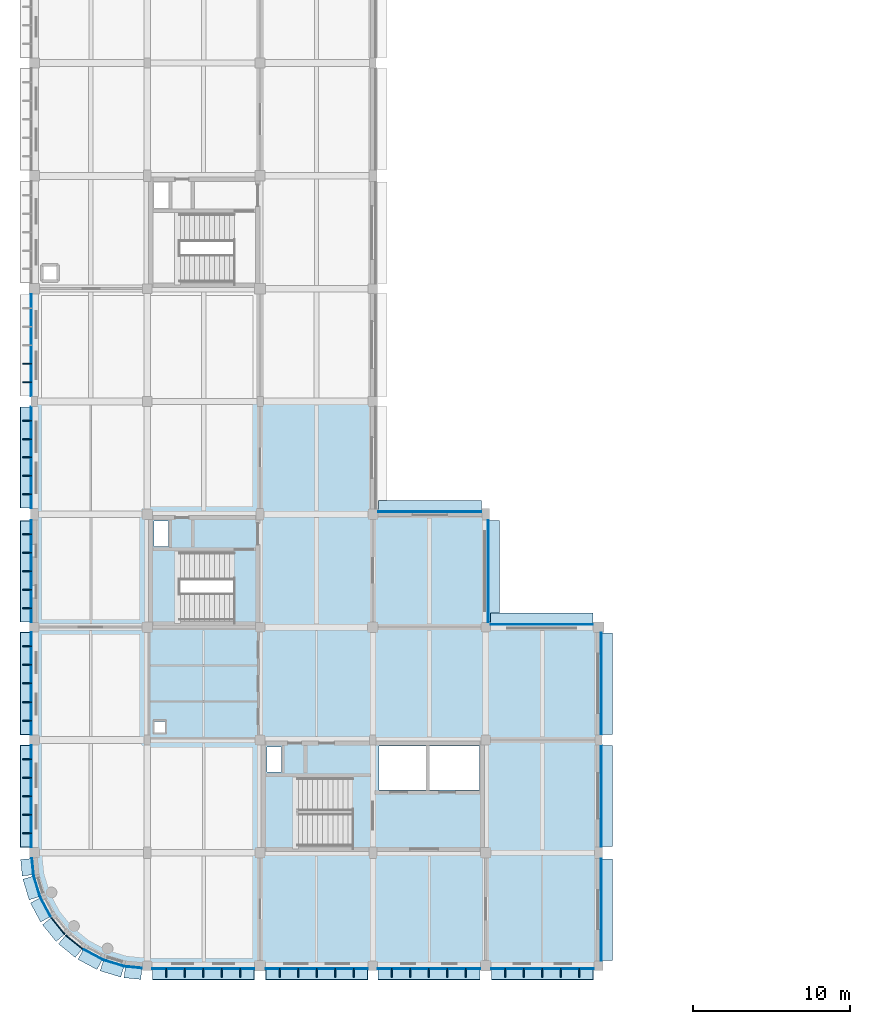
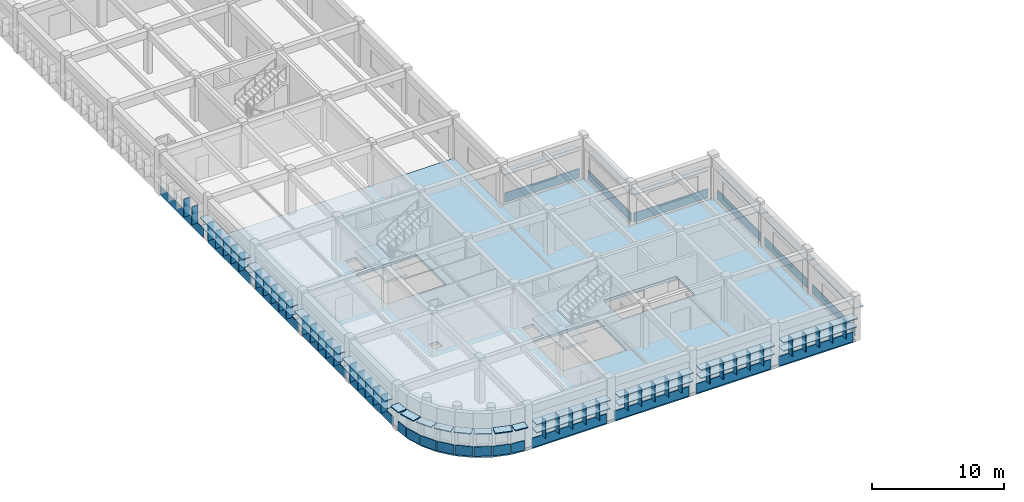
# One storey, part 10 of 38: 95 plates, 3 slabs, 2 elements without a shape of their own.
"""IFC4 building model written with IfcOpenShell, lengths in metres."""

from ifc_helpers import new_model, si_unit, direction, frame, origin, origin_2d, place, context, subcontext, project, spatial, polyline, rectangle, outline, extrude, material, layer, layer_set, type_object, element, aggregate, save


model = new_model("IFC4")

# Units and contexts
model_context = context("Model", 3, precision=1e-05, world=origin(), true_north=direction((0.0, 1.0)))
body_context = subcontext(model_context, "Body", "Model", "MODEL_VIEW")
ifc_project = project(units=[si_unit("LENGTHUNIT", "METRE"), si_unit("AREAUNIT", "SQUARE_METRE"), si_unit("VOLUMEUNIT", "CUBIC_METRE"), si_unit("PLANEANGLEUNIT", "RADIAN"), si_unit("MASSUNIT", "GRAM", prefix="KILO")], contexts=[model_context])

# Site, building, storey
site_placement = place(None, origin())
site = spatial("IfcSite", under=ifc_project, at=site_placement, CompositionType="ELEMENT")
building_placement = place(site_placement, origin())
building = spatial("IfcBuilding", under=site, at=building_placement, Name="Thalmaran Polytechnic", CompositionType="ELEMENT")
storey_placement = place(building_placement, frame((0.0, 0.0, 18.60009765625)))
storey = spatial("IfcBuildingStorey", under=building, at=storey_placement, Name="L04", CompositionType="ELEMENT", Elevation=18.60009765625)

# Plates
ifc_material_1 = material(Name="Anodised aluminium spandrel band", Category="aluminium")
ifc_layer_1 = layer(ifc_material_1, 0.054931640625, Name="Anodised aluminium spandrel band")
ifc_layer_set_1 = layer_set([ifc_layer_1], Name="Anodised aluminium spandrel band")
plate_type_1 = type_object("IfcPlateType", Name="PT-BD01", PredefinedType="SHEET", material=ifc_layer_set_1)
plate_1_placement = place(storey_placement, frame((-0.10888671875, 6.31689453125, 0.02001953125), z_axis=(0.0, 0.0, 1.0), x_axis=(-0.09801714033, 0.995184726672, 0.0)))
element("IfcPlate", 1, at=plate_1_placement, inside=storey, type_object=plate_type_1, Name="Streamline Horizontal Spandrel Band L04-025", PredefinedType="SHEET", context=body_context, shape_type="SweptSolid", body=[
    extrude(rectangle(XDim=1.04638671875, YDim=0.054931640625, at=origin_2d()), origin(), (0.0, 0.0, 1.0), 0.8798828125),
])
plate_2_placement = place(storey_placement, frame((-0.195068359375, 10.8076171875, 0.02001953125), z_axis=(0.0, 0.0, 1.0), x_axis=(0.0, 1.0, 0.0)))
element("IfcPlate", 2, at=plate_2_placement, inside=storey, type_object=plate_type_1, Name="Streamline Horizontal Spandrel Band L04-026", PredefinedType="SHEET", context=body_context, shape_type="SweptSolid", body=[
    extrude(rectangle(XDim=6.52490234375, YDim=0.054931640625, at=origin_2d()), origin(), (0.0, 0.0, 1.0), 0.8798828125),
])
plate_3_placement = place(storey_placement, frame((-0.195068359375, 18.0048828125, 0.02001953125), z_axis=(0.0, 0.0, 1.0), x_axis=(0.0, 1.0, 0.0)))
element("IfcPlate", 3, at=plate_3_placement, inside=storey, type_object=plate_type_1, Name="Streamline Horizontal Spandrel Band L04-027", PredefinedType="SHEET", context=body_context, shape_type="SweptSolid", body=[
    extrude(rectangle(XDim=6.550048828125, YDim=0.054931640625, at=origin_2d()), origin(), (0.0, 0.0, 1.0), 0.8798828125),
])
plate_4_placement = place(storey_placement, frame((-0.195068359375, 25.16259765625, 0.02001953125), z_axis=(0.0, 0.0, 1.0), x_axis=(0.0, 1.0, 0.0)))
element("IfcPlate", 4, at=plate_4_placement, inside=storey, type_object=plate_type_1, Name="Streamline Horizontal Spandrel Band L04-028", PredefinedType="SHEET", context=body_context, shape_type="SweptSolid", body=[
    extrude(rectangle(XDim=6.485107421875, YDim=0.054931640625, at=origin_2d()), origin(), (0.0, 0.0, 1.0), 0.8798828125),
])
plate_5_placement = place(storey_placement, frame((-0.195068359375, 32.427490234375, 0.02001953125), z_axis=(0.0, 0.0, 1.0), x_axis=(0.0, 1.0, 0.0)))
element("IfcPlate", 5, at=plate_5_placement, inside=storey, type_object=plate_type_1, Name="Streamline Horizontal Spandrel Band L04-029", PredefinedType="SHEET", context=body_context, shape_type="SweptSolid", body=[
    extrude(rectangle(XDim=6.465087890625, YDim=0.054931640625, at=origin_2d()), origin(), (0.0, 0.0, 1.0), 0.8798828125),
])
plate_6_placement = place(storey_placement, frame((-0.195068359375, 39.590087890625, 0.02001953125), z_axis=(0.0, 0.0, 1.0), x_axis=(0.0, 1.0, 0.0)))
element("IfcPlate", 6, at=plate_6_placement, inside=storey, type_object=plate_type_1, Name="Streamline Horizontal Spandrel Band L04-030", PredefinedType="SHEET", context=body_context, shape_type="SweptSolid", body=[
    extrude(rectangle(XDim=6.5, YDim=0.054931640625, at=origin_2d()), origin(), (0.0, 0.0, 1.0), 0.8798828125),
])
plate_7_placement = place(storey_placement, frame((25.237548828125, 28.969970703125, 0.02001953125), z_axis=(0.0, 0.0, 1.0), x_axis=(1.0, 0.0, 0.0)))
element("IfcPlate", 7, at=plate_7_placement, inside=storey, type_object=plate_type_1, Name="Streamline Horizontal Spandrel Band L04-088", PredefinedType="SHEET", context=body_context, shape_type="SweptSolid", body=[
    extrude(rectangle(XDim=6.5849609375, YDim=0.054931640625, at=origin_2d()), origin(), (0.0, 0.0, 1.0), 0.8798828125),
])
plate_8_placement = place(storey_placement, frame((28.969970703125, 25.16259765625, 0.02001953125), z_axis=(0.0, 0.0, 1.0), x_axis=(0.0, -1.0, 0.0)))
element("IfcPlate", 8, at=plate_8_placement, inside=storey, type_object=plate_type_1, Name="Streamline Horizontal Spandrel Band L04-089", PredefinedType="SHEET", context=body_context, shape_type="SweptSolid", body=[
    extrude(rectangle(XDim=6.485107421875, YDim=0.054931640625, at=origin_2d()), origin(), (0.0, 0.0, 1.0), 0.8798828125),
])
plate_9_placement = place(storey_placement, frame((32.3798828125, 21.77001953125, 0.02001953125), z_axis=(0.0, 0.0, 1.0), x_axis=(1.0, 0.0, 0.0)))
element("IfcPlate", 9, at=plate_9_placement, inside=storey, type_object=plate_type_1, Name="Streamline Horizontal Spandrel Band L04-090", PredefinedType="SHEET", context=body_context, shape_type="SweptSolid", body=[
    extrude(rectangle(XDim=6.52001953125, YDim=0.054931640625, at=origin_2d()), origin(), (0.0, 0.0, 1.0), 0.8798828125),
])
plate_10_placement = place(storey_placement, frame((36.169921875, 17.989990234375, 0.02001953125), z_axis=(0.0, 0.0, 1.0), x_axis=(0.0, -1.0, 0.0)))
element("IfcPlate", 10, at=plate_10_placement, inside=storey, type_object=plate_type_1, Name="Streamline Horizontal Spandrel Band L04-091", PredefinedType="SHEET", context=body_context, shape_type="SweptSolid", body=[
    extrude(rectangle(XDim=6.5, YDim=0.054931640625, at=origin_2d()), origin(), (0.0, 0.0, 1.0), 0.8798828125),
])
plate_11_placement = place(storey_placement, frame((36.169921875, 10.827392578125, 0.02001953125), z_axis=(0.0, 0.0, 1.0), x_axis=(0.0, -1.0, 0.0)))
element("IfcPlate", 11, at=plate_11_placement, inside=storey, type_object=plate_type_1, Name="Streamline Horizontal Spandrel Band L04-092", PredefinedType="SHEET", context=body_context, shape_type="SweptSolid", body=[
    extrude(rectangle(XDim=6.465087890625, YDim=0.054931640625, at=origin_2d()), origin(), (0.0, 0.0, 1.0), 0.8798828125),
])
plate_12_placement = place(storey_placement, frame((36.169921875, 3.5625, 0.02001953125), z_axis=(0.0, 0.0, 1.0), x_axis=(0.0, -1.0, 0.0)))
element("IfcPlate", 12, at=plate_12_placement, inside=storey, type_object=plate_type_1, Name="Streamline Horizontal Spandrel Band L04-093", PredefinedType="SHEET", context=body_context, shape_type="SweptSolid", body=[
    extrude(rectangle(XDim=6.485107421875, YDim=0.054931640625, at=origin_2d()), origin(), (0.0, 0.0, 1.0), 0.8798828125),
])
for number, where, z_axis, x_axis, name in (
    (13, (32.419921875, -0.195068359375, 0.02001953125), (0.0, 0.0, 1.0), (-1.0, 0.0, 0.0), "Streamline Horizontal Spandrel Band L04-094"),
    (14, (25.179931640625, -0.195068359375, 0.02001953125), (0.0, 0.0, 1.0), (-1.0, 0.0, 0.0), "Streamline Horizontal Spandrel Band L04-095"),
    (15, (18.02001953125, -0.195068359375, 0.02001953125), (0.0, 0.0, 1.0), (-1.0, 0.0, 0.0), "Streamline Horizontal Spandrel Band L04-096"),
    (16, (10.780029296875, -0.195068359375, 0.02001953125), (0.0, 0.0, 1.0), (-1.0, 0.0, 0.0), "Streamline Horizontal Spandrel Band L04-097"),
):
    element("IfcPlate", number, at=place(storey_placement, frame(where, z_axis=z_axis, x_axis=x_axis)), inside=storey, type_object=plate_type_1, Name=name, PredefinedType="SHEET", context=body_context, shape_type="SweptSolid", body=[
        extrude(rectangle(XDim=6.52001953125, YDim=0.054931640625, at=origin_2d()), origin(), (0.0, 0.0, 1.0), 0.8798828125),
    ])
plate_13_placement = place(storey_placement, frame((6.329345703125, -0.110107421875, 0.02001953125), z_axis=(0.0, 0.0, 1.0), x_axis=(-0.995184726672, 0.09801714033, 0.0)))
element("IfcPlate", 17, at=plate_13_placement, inside=storey, type_object=plate_type_1, Name="Streamline Horizontal Spandrel Band L04-098", PredefinedType="SHEET", context=body_context, shape_type="SweptSolid", body=[
    extrude(rectangle(XDim=1.0712890625, YDim=0.054931640625, at=origin_2d()), origin(), (0.0, 0.0, 1.0), 0.8798828125),
])
for number, where, z_axis, x_axis, name in (
    (18, (5.0634765625, 0.156494140625, 0.02001953125), (0.0, 0.0, 1.0), (-0.956940335732, 0.290284677254, 0.0), "Streamline Horizontal Spandrel Band L04-099"),
    (19, (3.73046875, 0.708740234375, 0.02001953125), (0.0, 0.0, 1.0), (-0.881921264348, 0.471396736826, 0.0), "Streamline Horizontal Spandrel Band L04-100"),
    (20, (2.53076171875, 1.510498046875, 0.02001953125), (0.0, 0.0, 1.0), (-0.773010453363, 0.634393284164, 0.0), "Streamline Horizontal Spandrel Band L04-101"),
    (21, (1.510498046875, 2.53076171875, 0.02001953125), (0.0, 0.0, 1.0), (-0.634393284164, 0.773010453363, 0.0), "Streamline Horizontal Spandrel Band L04-102"),
    (22, (0.708740234375, 3.73046875, 0.02001953125), (0.0, 0.0, 1.0), (-0.471396736826, 0.881921264348, 0.0), "Streamline Horizontal Spandrel Band L04-103"),
    (23, (0.156494140625, 5.0634765625, 0.02001953125), (0.0, 0.0, 1.0), (-0.290284677254, 0.956940335732, 0.0), "Streamline Horizontal Spandrel Band L04-104"),
):
    element("IfcPlate", number, at=place(storey_placement, frame(where, z_axis=z_axis, x_axis=x_axis)), inside=storey, type_object=plate_type_1, Name=name, PredefinedType="SHEET", context=body_context, shape_type="SweptSolid", body=[
        extrude(rectangle(XDim=1.371337890625, YDim=0.054931640625, at=origin_2d()), origin(), (0.0, 0.0, 1.0), 0.8798828125),
    ])
ifc_material_2 = material(Name="Anodised aluminium sun-hood eyebrow", Category="aluminium")
ifc_layer_2 = layer(ifc_material_2, 0.0849609375, Name="Anodised aluminium sun-hood eyebrow")
ifc_layer_set_2 = layer_set([ifc_layer_2], Name="Anodised aluminium sun-hood eyebrow")
plate_type_2 = type_object("IfcPlateType", Name="PT-EB01", PredefinedType="SHEET", material=ifc_layer_set_2)
plate_14_placement = place(storey_placement, frame((-0.452392578125, 6.282958984375, 2.517333984375), z_axis=(0.0, 0.0, 1.0), x_axis=(-0.09801714033, 0.995184726672, 0.0)))
element("IfcPlate", 24, at=plate_14_placement, inside=storey, type_object=plate_type_2, Name="Streamline Sun-Hood Eyebrow L04-025", PredefinedType="SHEET", context=body_context, shape_type="SweptSolid", body=[
    extrude(rectangle(XDim=1.04638671875, YDim=0.760009765625, at=origin_2d()), origin(), (0.0, 0.0, 1.0), 0.0849609375),
])
plate_15_placement = place(storey_placement, frame((-0.5400390625, 10.8076171875, 2.517333984375), z_axis=(0.0, 0.0, 1.0), x_axis=(0.0, 1.0, 0.0)))
element("IfcPlate", 25, at=plate_15_placement, inside=storey, type_object=plate_type_2, Name="Streamline Sun-Hood Eyebrow L04-026", PredefinedType="SHEET", context=body_context, shape_type="SweptSolid", body=[
    extrude(rectangle(XDim=6.52490234375, YDim=0.760009765625, at=origin_2d()), origin(), (0.0, 0.0, 1.0), 0.0849609375),
])
plate_16_placement = place(storey_placement, frame((-0.52001953125, 10.8076171875, 1.7421875), z_axis=(0.0, 0.0, 1.0), x_axis=(0.0, 1.0, 0.0)))
element("IfcPlate", 26, at=plate_16_placement, inside=storey, type_object=plate_type_2, Name="Abu Dhabi Horizontal Solar Louvre L04-026", PredefinedType="SHEET", context=body_context, shape_type="SweptSolid", body=[
    extrude(rectangle(XDim=6.485107421875, YDim=0.719970703125, at=origin_2d()), origin(), (0.0, 0.0, 1.0), 0.074951171875),
])
plate_17_placement = place(storey_placement, frame((-0.5400390625, 18.0048828125, 2.517333984375), z_axis=(0.0, 0.0, 1.0), x_axis=(0.0, 1.0, 0.0)))
element("IfcPlate", 27, at=plate_17_placement, inside=storey, type_object=plate_type_2, Name="Streamline Sun-Hood Eyebrow L04-027", PredefinedType="SHEET", context=body_context, shape_type="SweptSolid", body=[
    extrude(rectangle(XDim=6.550048828125, YDim=0.760009765625, at=origin_2d()), origin(), (0.0, 0.0, 1.0), 0.0849609375),
])
plate_18_placement = place(storey_placement, frame((-0.52001953125, 18.0048828125, 1.7421875), z_axis=(0.0, 0.0, 1.0), x_axis=(0.0, 1.0, 0.0)))
element("IfcPlate", 28, at=plate_18_placement, inside=storey, type_object=plate_type_2, Name="Abu Dhabi Horizontal Solar Louvre L04-027", PredefinedType="SHEET", context=body_context, shape_type="SweptSolid", body=[
    extrude(rectangle(XDim=6.510009765625, YDim=0.719970703125, at=origin_2d()), origin(), (0.0, 0.0, 1.0), 0.074951171875),
])
plate_19_placement = place(storey_placement, frame((-0.5400390625, 25.16259765625, 2.517333984375), z_axis=(0.0, 0.0, 1.0), x_axis=(0.0, 1.0, 0.0)))
element("IfcPlate", 29, at=plate_19_placement, inside=storey, type_object=plate_type_2, Name="Streamline Sun-Hood Eyebrow L04-028", PredefinedType="SHEET", context=body_context, shape_type="SweptSolid", body=[
    extrude(rectangle(XDim=6.485107421875, YDim=0.760009765625, at=origin_2d()), origin(), (0.0, 0.0, 1.0), 0.0849609375),
])
plate_20_placement = place(storey_placement, frame((-0.52001953125, 25.16259765625, 1.7421875), z_axis=(0.0, 0.0, 1.0), x_axis=(0.0, 1.0, 0.0)))
element("IfcPlate", 30, at=plate_20_placement, inside=storey, type_object=plate_type_2, Name="Abu Dhabi Horizontal Solar Louvre L04-028", PredefinedType="SHEET", context=body_context, shape_type="SweptSolid", body=[
    extrude(rectangle(XDim=6.445068359375, YDim=0.719970703125, at=origin_2d()), origin(), (0.0, 0.0, 1.0), 0.074951171875),
])
plate_21_placement = place(storey_placement, frame((-0.5400390625, 32.427490234375, 2.517333984375), z_axis=(0.0, 0.0, 1.0), x_axis=(0.0, 1.0, 0.0)))
element("IfcPlate", 31, at=plate_21_placement, inside=storey, type_object=plate_type_2, Name="Streamline Sun-Hood Eyebrow L04-029", PredefinedType="SHEET", context=body_context, shape_type="SweptSolid", body=[
    extrude(rectangle(XDim=6.465087890625, YDim=0.760009765625, at=origin_2d()), origin(), (0.0, 0.0, 1.0), 0.0849609375),
])
plate_22_placement = place(storey_placement, frame((-0.52001953125, 32.427490234375, 1.7421875), z_axis=(0.0, 0.0, 1.0), x_axis=(0.0, 1.0, 0.0)))
element("IfcPlate", 32, at=plate_22_placement, inside=storey, type_object=plate_type_2, Name="Abu Dhabi Horizontal Solar Louvre L04-029", PredefinedType="SHEET", context=body_context, shape_type="SweptSolid", body=[
    extrude(rectangle(XDim=6.425048828125, YDim=0.719970703125, at=origin_2d()), origin(), (0.0, 0.0, 1.0), 0.074951171875),
])
plate_23_placement = place(storey_placement, frame((25.237548828125, 29.31494140625, 2.517333984375), z_axis=(0.0, 0.0, 1.0), x_axis=(1.0, 0.0, 0.0)))
element("IfcPlate", 33, at=plate_23_placement, inside=storey, type_object=plate_type_2, Name="Streamline Sun-Hood Eyebrow L04-088", PredefinedType="SHEET", context=body_context, shape_type="SweptSolid", body=[
    extrude(rectangle(XDim=6.5849609375, YDim=0.760009765625, at=origin_2d()), origin(), (0.0, 0.0, 1.0), 0.0849609375),
])
plate_24_placement = place(storey_placement, frame((29.31494140625, 25.16259765625, 2.517333984375), z_axis=(0.0, 0.0, 1.0), x_axis=(0.0, -1.0, 0.0)))
element("IfcPlate", 34, at=plate_24_placement, inside=storey, type_object=plate_type_2, Name="Streamline Sun-Hood Eyebrow L04-089", PredefinedType="SHEET", context=body_context, shape_type="SweptSolid", body=[
    extrude(rectangle(XDim=6.485107421875, YDim=0.760009765625, at=origin_2d()), origin(), (0.0, 0.0, 1.0), 0.0849609375),
])
plate_25_placement = place(storey_placement, frame((32.3798828125, 22.114990234375, 2.517333984375), z_axis=(0.0, 0.0, 1.0), x_axis=(1.0, 0.0, 0.0)))
element("IfcPlate", 35, at=plate_25_placement, inside=storey, type_object=plate_type_2, Name="Streamline Sun-Hood Eyebrow L04-090", PredefinedType="SHEET", context=body_context, shape_type="SweptSolid", body=[
    extrude(rectangle(XDim=6.52001953125, YDim=0.760009765625, at=origin_2d()), origin(), (0.0, 0.0, 1.0), 0.0849609375),
])
plate_26_placement = place(storey_placement, frame((36.514892578125, 17.989990234375, 2.517333984375), z_axis=(0.0, 0.0, 1.0), x_axis=(0.0, -1.0, 0.0)))
element("IfcPlate", 36, at=plate_26_placement, inside=storey, type_object=plate_type_2, Name="Streamline Sun-Hood Eyebrow L04-091", PredefinedType="SHEET", context=body_context, shape_type="SweptSolid", body=[
    extrude(rectangle(XDim=6.5, YDim=0.760009765625, at=origin_2d()), origin(), (0.0, 0.0, 1.0), 0.0849609375),
])
plate_27_placement = place(storey_placement, frame((36.514892578125, 10.827392578125, 2.517333984375), z_axis=(0.0, 0.0, 1.0), x_axis=(0.0, -1.0, 0.0)))
element("IfcPlate", 37, at=plate_27_placement, inside=storey, type_object=plate_type_2, Name="Streamline Sun-Hood Eyebrow L04-092", PredefinedType="SHEET", context=body_context, shape_type="SweptSolid", body=[
    extrude(rectangle(XDim=6.465087890625, YDim=0.760009765625, at=origin_2d()), origin(), (0.0, 0.0, 1.0), 0.0849609375),
])
plate_28_placement = place(storey_placement, frame((36.514892578125, 3.5625, 2.517333984375), z_axis=(0.0, 0.0, 1.0), x_axis=(0.0, -1.0, 0.0)))
element("IfcPlate", 38, at=plate_28_placement, inside=storey, type_object=plate_type_2, Name="Streamline Sun-Hood Eyebrow L04-093", PredefinedType="SHEET", context=body_context, shape_type="SweptSolid", body=[
    extrude(rectangle(XDim=6.485107421875, YDim=0.760009765625, at=origin_2d()), origin(), (0.0, 0.0, 1.0), 0.0849609375),
])
plate_29_placement = place(storey_placement, frame((32.419921875, -0.5400390625, 2.517333984375), z_axis=(0.0, 0.0, 1.0), x_axis=(-1.0, 0.0, 0.0)))
element("IfcPlate", 39, at=plate_29_placement, inside=storey, type_object=plate_type_2, Name="Streamline Sun-Hood Eyebrow L04-094", PredefinedType="SHEET", context=body_context, shape_type="SweptSolid", body=[
    extrude(rectangle(XDim=6.52001953125, YDim=0.760009765625, at=origin_2d()), origin(), (0.0, 0.0, 1.0), 0.0849609375),
])
plate_30_placement = place(storey_placement, frame((32.419921875, -0.52001953125, 1.7421875), z_axis=(0.0, 0.0, 1.0), x_axis=(-1.0, 0.0, 0.0)))
element("IfcPlate", 40, at=plate_30_placement, inside=storey, type_object=plate_type_2, Name="Abu Dhabi Horizontal Solar Louvre L04-094", PredefinedType="SHEET", context=body_context, shape_type="SweptSolid", body=[
    extrude(rectangle(XDim=6.47998046875, YDim=0.719970703125, at=origin_2d()), origin(), (0.0, 0.0, 1.0), 0.074951171875),
])
plate_31_placement = place(storey_placement, frame((25.179931640625, -0.5400390625, 2.517333984375), z_axis=(0.0, 0.0, 1.0), x_axis=(-1.0, 0.0, 0.0)))
element("IfcPlate", 41, at=plate_31_placement, inside=storey, type_object=plate_type_2, Name="Streamline Sun-Hood Eyebrow L04-095", PredefinedType="SHEET", context=body_context, shape_type="SweptSolid", body=[
    extrude(rectangle(XDim=6.52001953125, YDim=0.760009765625, at=origin_2d()), origin(), (0.0, 0.0, 1.0), 0.0849609375),
])
plate_32_placement = place(storey_placement, frame((25.179931640625, -0.52001953125, 1.7421875), z_axis=(0.0, 0.0, 1.0), x_axis=(-1.0, 0.0, 0.0)))
element("IfcPlate", 42, at=plate_32_placement, inside=storey, type_object=plate_type_2, Name="Abu Dhabi Horizontal Solar Louvre L04-095", PredefinedType="SHEET", context=body_context, shape_type="SweptSolid", body=[
    extrude(rectangle(XDim=6.47998046875, YDim=0.719970703125, at=origin_2d()), origin(), (0.0, 0.0, 1.0), 0.074951171875),
])
plate_33_placement = place(storey_placement, frame((18.02001953125, -0.5400390625, 2.517333984375), z_axis=(0.0, 0.0, 1.0), x_axis=(-1.0, 0.0, 0.0)))
element("IfcPlate", 43, at=plate_33_placement, inside=storey, type_object=plate_type_2, Name="Streamline Sun-Hood Eyebrow L04-096", PredefinedType="SHEET", context=body_context, shape_type="SweptSolid", body=[
    extrude(rectangle(XDim=6.52001953125, YDim=0.760009765625, at=origin_2d()), origin(), (0.0, 0.0, 1.0), 0.0849609375),
])
plate_34_placement = place(storey_placement, frame((18.02001953125, -0.52001953125, 1.7421875), z_axis=(0.0, 0.0, 1.0), x_axis=(-1.0, 0.0, 0.0)))
element("IfcPlate", 44, at=plate_34_placement, inside=storey, type_object=plate_type_2, Name="Abu Dhabi Horizontal Solar Louvre L04-096", PredefinedType="SHEET", context=body_context, shape_type="SweptSolid", body=[
    extrude(rectangle(XDim=6.47998046875, YDim=0.719970703125, at=origin_2d()), origin(), (0.0, 0.0, 1.0), 0.074951171875),
])
plate_35_placement = place(storey_placement, frame((10.780029296875, -0.5400390625, 2.517333984375), z_axis=(0.0, 0.0, 1.0), x_axis=(-1.0, 0.0, 0.0)))
element("IfcPlate", 45, at=plate_35_placement, inside=storey, type_object=plate_type_2, Name="Streamline Sun-Hood Eyebrow L04-097", PredefinedType="SHEET", context=body_context, shape_type="SweptSolid", body=[
    extrude(rectangle(XDim=6.52001953125, YDim=0.760009765625, at=origin_2d()), origin(), (0.0, 0.0, 1.0), 0.0849609375),
])
plate_36_placement = place(storey_placement, frame((10.780029296875, -0.52001953125, 1.7421875), z_axis=(0.0, 0.0, 1.0), x_axis=(-1.0, 0.0, 0.0)))
element("IfcPlate", 46, at=plate_36_placement, inside=storey, type_object=plate_type_2, Name="Abu Dhabi Horizontal Solar Louvre L04-097", PredefinedType="SHEET", context=body_context, shape_type="SweptSolid", body=[
    extrude(rectangle(XDim=6.47998046875, YDim=0.719970703125, at=origin_2d()), origin(), (0.0, 0.0, 1.0), 0.074951171875),
])
plate_37_placement = place(storey_placement, frame((6.29541015625, -0.45361328125, 2.517333984375), z_axis=(0.0, 0.0, 1.0), x_axis=(-0.995184726672, 0.09801714033, 0.0)))
element("IfcPlate", 47, at=plate_37_placement, inside=storey, type_object=plate_type_2, Name="Streamline Sun-Hood Eyebrow L04-098", PredefinedType="SHEET", context=body_context, shape_type="SweptSolid", body=[
    extrude(rectangle(XDim=1.0712890625, YDim=0.760009765625, at=origin_2d()), origin(), (0.0, 0.0, 1.0), 0.0849609375),
])
for number, where, z_axis, x_axis, name in (
    (48, (4.96337890625, -0.173583984375, 2.517333984375), (0.0, 0.0, 1.0), (-0.956940335732, 0.290284677254, 0.0), "Streamline Sun-Hood Eyebrow L04-099"),
    (49, (3.567626953125, 0.404541015625, 2.517333984375), (0.0, 0.0, 1.0), (-0.881921264348, 0.471396736826, 0.0), "Streamline Sun-Hood Eyebrow L04-100"),
    (50, (2.311767578125, 1.24365234375, 2.517333984375), (0.0, 0.0, 1.0), (-0.773010453363, 0.634393284164, 0.0), "Streamline Sun-Hood Eyebrow L04-101"),
    (51, (1.24365234375, 2.311767578125, 2.517333984375), (0.0, 0.0, 1.0), (-0.634393284164, 0.773010453363, 0.0), "Streamline Sun-Hood Eyebrow L04-102"),
    (52, (0.404541015625, 3.567626953125, 2.517333984375), (0.0, 0.0, 1.0), (-0.471396736826, 0.881921264348, 0.0), "Streamline Sun-Hood Eyebrow L04-103"),
    (53, (-0.173583984375, 4.96337890625, 2.517333984375), (0.0, 0.0, 1.0), (-0.290284677254, 0.956940335732, 0.0), "Streamline Sun-Hood Eyebrow L04-104"),
):
    element("IfcPlate", number, at=place(storey_placement, frame(where, z_axis=z_axis, x_axis=x_axis)), inside=storey, type_object=plate_type_2, Name=name, PredefinedType="SHEET", context=body_context, shape_type="SweptSolid", body=[
        extrude(rectangle(XDim=1.371337890625, YDim=0.760009765625, at=origin_2d()), origin(), (0.0, 0.0, 1.0), 0.0849609375),
    ])
ifc_material_3 = material(Name="Anodised bronze brise-soleil fin")
ifc_layer_3 = layer(ifc_material_3, 0.06494140625, Name="Anodised bronze brise-soleil fin")
ifc_layer_set_3 = layer_set([ifc_layer_3], Name="Anodised bronze brise-soleil fin")
plate_type_3 = type_object("IfcPlateType", Name="PT-FN01", PredefinedType="SHEET", material=ifc_layer_set_3)
for number, where, z_axis, x_axis, name in (
    (54, (-0.4599609375, 8.444091796875, 0.89501953125), (0.0, 0.0, 1.0), (0.0, 1.0, 0.0), "Abu Dhabi Solar Brise-Soleil Fin L04-026-1"),
    (55, (-0.4599609375, 9.625732421875, 0.89501953125), (0.0, 0.0, 1.0), (0.0, 1.0, 0.0), "Abu Dhabi Solar Brise-Soleil Fin L04-026-2"),
    (56, (-0.4599609375, 10.8076171875, 0.89501953125), (0.0, 0.0, 1.0), (0.0, 1.0, 0.0), "Abu Dhabi Solar Brise-Soleil Fin L04-026-3"),
    (57, (-0.4599609375, 11.9892578125, 0.89501953125), (0.0, 0.0, 1.0), (0.0, 1.0, 0.0), "Abu Dhabi Solar Brise-Soleil Fin L04-026-4"),
    (58, (-0.4599609375, 13.1708984375, 0.89501953125), (0.0, 0.0, 1.0), (0.0, 1.0, 0.0), "Abu Dhabi Solar Brise-Soleil Fin L04-026-5"),
    (59, (-0.4599609375, 15.632568359375, 0.89501953125), (0.0, 0.0, 1.0), (0.0, 1.0, 0.0), "Abu Dhabi Solar Brise-Soleil Fin L04-027-1"),
    (60, (-0.4599609375, 16.81884765625, 0.89501953125), (0.0, 0.0, 1.0), (0.0, 1.0, 0.0), "Abu Dhabi Solar Brise-Soleil Fin L04-027-2"),
    (61, (-0.4599609375, 18.0048828125, 0.89501953125), (0.0, 0.0, 1.0), (0.0, 1.0, 0.0), "Abu Dhabi Solar Brise-Soleil Fin L04-027-3"),
    (62, (-0.4599609375, 19.191162109375, 0.89501953125), (0.0, 0.0, 1.0), (0.0, 1.0, 0.0), "Abu Dhabi Solar Brise-Soleil Fin L04-027-4"),
    (63, (-0.4599609375, 20.37744140625, 0.89501953125), (0.0, 0.0, 1.0), (0.0, 1.0, 0.0), "Abu Dhabi Solar Brise-Soleil Fin L04-027-5"),
    (64, (-0.4599609375, 22.8134765625, 0.89501953125), (0.0, 0.0, 1.0), (0.0, 1.0, 0.0), "Abu Dhabi Solar Brise-Soleil Fin L04-028-1"),
    (65, (-0.4599609375, 23.988037109375, 0.89501953125), (0.0, 0.0, 1.0), (0.0, 1.0, 0.0), "Abu Dhabi Solar Brise-Soleil Fin L04-028-2"),
    (66, (-0.4599609375, 25.16259765625, 0.89501953125), (0.0, 0.0, 1.0), (0.0, 1.0, 0.0), "Abu Dhabi Solar Brise-Soleil Fin L04-028-3"),
    (67, (-0.4599609375, 26.3369140625, 0.89501953125), (0.0, 0.0, 1.0), (0.0, 1.0, 0.0), "Abu Dhabi Solar Brise-Soleil Fin L04-028-4"),
    (68, (-0.4599609375, 27.511474609375, 0.89501953125), (0.0, 0.0, 1.0), (0.0, 1.0, 0.0), "Abu Dhabi Solar Brise-Soleil Fin L04-028-5"),
    (69, (-0.4599609375, 30.085693359375, 0.89501953125), (0.0, 0.0, 1.0), (0.0, 1.0, 0.0), "Abu Dhabi Solar Brise-Soleil Fin L04-029-1"),
    (70, (-0.4599609375, 31.256591796875, 0.89501953125), (0.0, 0.0, 1.0), (0.0, 1.0, 0.0), "Abu Dhabi Solar Brise-Soleil Fin L04-029-2"),
    (71, (-0.4599609375, 32.427490234375, 0.89501953125), (0.0, 0.0, 1.0), (0.0, 1.0, 0.0), "Abu Dhabi Solar Brise-Soleil Fin L04-029-3"),
    (72, (-0.4599609375, 33.598388671875, 0.89501953125), (0.0, 0.0, 1.0), (0.0, 1.0, 0.0), "Abu Dhabi Solar Brise-Soleil Fin L04-029-4"),
    (73, (-0.4599609375, 34.769287109375, 0.89501953125), (0.0, 0.0, 1.0), (0.0, 1.0, 0.0), "Abu Dhabi Solar Brise-Soleil Fin L04-029-5"),
    (74, (-0.4599609375, 37.235595703125, 0.89501953125), (0.0, 0.0, 1.0), (0.0, 1.0, 0.0), "Abu Dhabi Solar Brise-Soleil Fin L04-030-1"),
    (75, (-0.4599609375, 38.412841796875, 0.89501953125), (0.0, 0.0, 1.0), (0.0, 1.0, 0.0), "Abu Dhabi Solar Brise-Soleil Fin L04-030-2"),
    (76, (34.781494140625, -0.4599609375, 0.89501953125), (0.0, 0.0, 1.0), (-1.0, 0.0, 0.0), "Abu Dhabi Solar Brise-Soleil Fin L04-094-1"),
    (77, (33.600830078125, -0.4599609375, 0.89501953125), (0.0, 0.0, 1.0), (-1.0, 0.0, 0.0), "Abu Dhabi Solar Brise-Soleil Fin L04-094-2"),
    (78, (32.419921875, -0.4599609375, 0.89501953125), (0.0, 0.0, 1.0), (-1.0, 0.0, 0.0), "Abu Dhabi Solar Brise-Soleil Fin L04-094-3"),
    (79, (31.2392578125, -0.4599609375, 0.89501953125), (0.0, 0.0, 1.0), (-1.0, 0.0, 0.0), "Abu Dhabi Solar Brise-Soleil Fin L04-094-4"),
    (80, (30.058349609375, -0.4599609375, 0.89501953125), (0.0, 0.0, 1.0), (-1.0, 0.0, 0.0), "Abu Dhabi Solar Brise-Soleil Fin L04-094-5"),
    (81, (27.54150390625, -0.4599609375, 0.89501953125), (0.0, 0.0, 1.0), (-1.0, 0.0, 0.0), "Abu Dhabi Solar Brise-Soleil Fin L04-095-1"),
    (82, (26.36083984375, -0.4599609375, 0.89501953125), (0.0, 0.0, 1.0), (-1.0, 0.0, 0.0), "Abu Dhabi Solar Brise-Soleil Fin L04-095-2"),
    (83, (25.179931640625, -0.4599609375, 0.89501953125), (0.0, 0.0, 1.0), (-1.0, 0.0, 0.0), "Abu Dhabi Solar Brise-Soleil Fin L04-095-3"),
    (84, (23.999267578125, -0.4599609375, 0.89501953125), (0.0, 0.0, 1.0), (-1.0, 0.0, 0.0), "Abu Dhabi Solar Brise-Soleil Fin L04-095-4"),
    (85, (22.818359375, -0.4599609375, 0.89501953125), (0.0, 0.0, 1.0), (-1.0, 0.0, 0.0), "Abu Dhabi Solar Brise-Soleil Fin L04-095-5"),
    (86, (20.381591796875, -0.4599609375, 0.89501953125), (0.0, 0.0, 1.0), (-1.0, 0.0, 0.0), "Abu Dhabi Solar Brise-Soleil Fin L04-096-1"),
    (87, (19.20068359375, -0.4599609375, 0.89501953125), (0.0, 0.0, 1.0), (-1.0, 0.0, 0.0), "Abu Dhabi Solar Brise-Soleil Fin L04-096-2"),
    (88, (18.02001953125, -0.4599609375, 0.89501953125), (0.0, 0.0, 1.0), (-1.0, 0.0, 0.0), "Abu Dhabi Solar Brise-Soleil Fin L04-096-3"),
    (89, (16.839111328125, -0.4599609375, 0.89501953125), (0.0, 0.0, 1.0), (-1.0, 0.0, 0.0), "Abu Dhabi Solar Brise-Soleil Fin L04-096-4"),
    (90, (15.658447265625, -0.4599609375, 0.89501953125), (0.0, 0.0, 1.0), (-1.0, 0.0, 0.0), "Abu Dhabi Solar Brise-Soleil Fin L04-096-5"),
    (91, (13.1416015625, -0.4599609375, 0.89501953125), (0.0, 0.0, 1.0), (-1.0, 0.0, 0.0), "Abu Dhabi Solar Brise-Soleil Fin L04-097-1"),
    (92, (11.960693359375, -0.4599609375, 0.89501953125), (0.0, 0.0, 1.0), (-1.0, 0.0, 0.0), "Abu Dhabi Solar Brise-Soleil Fin L04-097-2"),
    (93, (10.780029296875, -0.4599609375, 0.89501953125), (0.0, 0.0, 1.0), (-1.0, 0.0, 0.0), "Abu Dhabi Solar Brise-Soleil Fin L04-097-3"),
    (94, (9.59912109375, -0.4599609375, 0.89501953125), (0.0, 0.0, 1.0), (-1.0, 0.0, 0.0), "Abu Dhabi Solar Brise-Soleil Fin L04-097-4"),
    (95, (8.41845703125, -0.4599609375, 0.89501953125), (0.0, 0.0, 1.0), (-1.0, 0.0, 0.0), "Abu Dhabi Solar Brise-Soleil Fin L04-097-5"),
):
    element("IfcPlate", number, at=place(storey_placement, frame(where, z_axis=z_axis, x_axis=x_axis)), inside=storey, type_object=plate_type_3, Name=name, PredefinedType="SHEET", context=body_context, shape_type="SweptSolid", body=[
        extrude(rectangle(XDim=0.06494140625, YDim=0.56005859375, at=origin_2d()), origin(), (0.0, 0.0, 1.0), 1.64990234375),
    ])

# Slab
ifc_material_4 = material(Name="Concrete C40/50", Category="concrete")
ifc_layer_4 = layer(ifc_material_4, 0.260009765625, Name="Concrete C40/50")
ifc_layer_set_4 = layer_set([ifc_layer_4], Name="Concrete C40/50")
slab_type_1 = type_object("IfcSlabType", Name="SL-FL06", PredefinedType="FLOOR", material=ifc_layer_set_4)
slab_1_placement = place(storey_placement, frame((0.0, 0.0, -0.260009765625)))
element("IfcSlab", 96, at=slab_1_placement, inside=storey, type_object=slab_type_1, Name="V1S L04 Structural Slab", PredefinedType="FLOOR", context=body_context, shape_type="SweptSolid", body=[
    extrude(outline(polyline([(0.0, 21.60009765625), (0.0, 28.800048828125), (0.0, 36.0), (7.199951171875, 36.0), (14.39990234375, 36.0), (21.60009765625, 36.0), (21.60009765625, 28.800048828125), (28.800048828125, 28.800048828125), (28.800048828125, 21.60009765625), (36.0, 21.60009765625), (36.0, 14.39990234375), (36.0, 7.199951171875), (36.0, 0.0), (28.800048828125, 0.0), (21.60009765625, 0.0), (14.39990234375, 0.0), (7.199951171875, 0.0), (5.79541015625, 0.138427734375), (4.444580078125, 0.548095703125), (3.199951171875, 1.21337890625), (2.10888671875, 2.10888671875), (1.21337890625, 3.199951171875), (0.548095703125, 4.444580078125), (0.138427734375, 5.79541015625), (0.0, 7.199951171875), (0.0, 14.39990234375), (0.0, 21.60009765625)]), holes=[polyline([(28.39990234375, 11.199951171875), (28.39990234375, 14.0), (22.0, 14.0), (22.0, 11.199951171875), (28.39990234375, 11.199951171875)]), polyline([(14.64990234375, 12.0400390625), (14.64990234375, 7.449951171875), (20.280029296875, 7.449951171875), (20.280029296875, 12.0400390625), (14.64990234375, 12.0400390625)]), polyline([(15.760009765625, 13.9599609375), (14.840087890625, 13.9599609375), (14.840087890625, 12.340087890625), (15.760009765625, 12.340087890625), (15.760009765625, 13.9599609375)]), polyline([(7.449951171875, 21.85009765625), (12.719970703125, 21.85009765625), (12.719970703125, 26.43994140625), (7.449951171875, 26.43994140625), (7.449951171875, 21.85009765625)]), polyline([(7.639892578125, 28.360107421875), (7.639892578125, 26.739990234375), (8.56005859375, 26.739990234375), (8.56005859375, 28.360107421875), (7.639892578125, 28.360107421875)]), polyline([(8.35009765625, 15.580078125), (7.64990234375, 15.580078125), (7.64990234375, 14.8798828125), (8.35009765625, 14.8798828125), (8.35009765625, 15.580078125)])]), origin(), (0.0, 0.0, 1.0), 0.260009765625),
])

# Stair, slab
stair_type = type_object("IfcStairType", Name="ST-HT42", PredefinedType="HALF_TURN_STAIR", material=ifc_material_4)
stair_1_placement = place(storey_placement, origin())
stair_1 = element("IfcStair", 97, at=stair_1_placement, inside=storey, type_object=stair_type, Name="Exit Stair ST1 L04", PredefinedType="HALF_TURN_STAIR")
ifc_layer_5 = layer(ifc_material_4, 0.2099609375, Name="Concrete C40/50")
ifc_layer_set_5 = layer_set([ifc_layer_5], Name="Concrete C40/50")
slab_type_2 = type_object("IfcSlabType", Name="SL-LD01", PredefinedType="LANDING", material=ifc_layer_set_5)
slab_2_placement = place(storey_placement, frame((0.0, 0.0, 1.889892578125)))
slab_2 = element("IfcSlab", 98, at=slab_2_placement, type_object=slab_type_2, Name="ST1 L04 Half Landing", PredefinedType="LANDING", context=body_context, shape_type="SweptSolid", body=[
    extrude(outline(polyline([(14.639892578125, 7.43994140625), (16.800048828125, 7.43994140625), (16.800048828125, 12.139892578125), (14.639892578125, 12.139892578125), (14.639892578125, 7.43994140625)])), origin(), (0.0, 0.0, 1.0), 0.2099609375),
])
aggregate(stair_1, [slab_2])

stair_2_placement = place(storey_placement, origin())
stair_2 = element("IfcStair", 99, at=stair_2_placement, inside=storey, type_object=stair_type, Name="Exit Stair ST3 L04", PredefinedType="HALF_TURN_STAIR")
slab_3_placement = place(storey_placement, frame((0.0, 0.0, 1.889892578125)))
slab_3 = element("IfcSlab", 100, at=slab_3_placement, type_object=slab_type_2, Name="ST3 L04 Half Landing", PredefinedType="LANDING", context=body_context, shape_type="SweptSolid", body=[
    extrude(outline(polyline([(7.43994140625, 21.840087890625), (9.260009765625, 21.840087890625), (9.260009765625, 26.5400390625), (7.43994140625, 26.5400390625), (7.43994140625, 21.840087890625)])), origin(), (0.0, 0.0, 1.0), 0.2099609375),
])
aggregate(stair_2, [slab_3])

save(model, "model.ifc")
